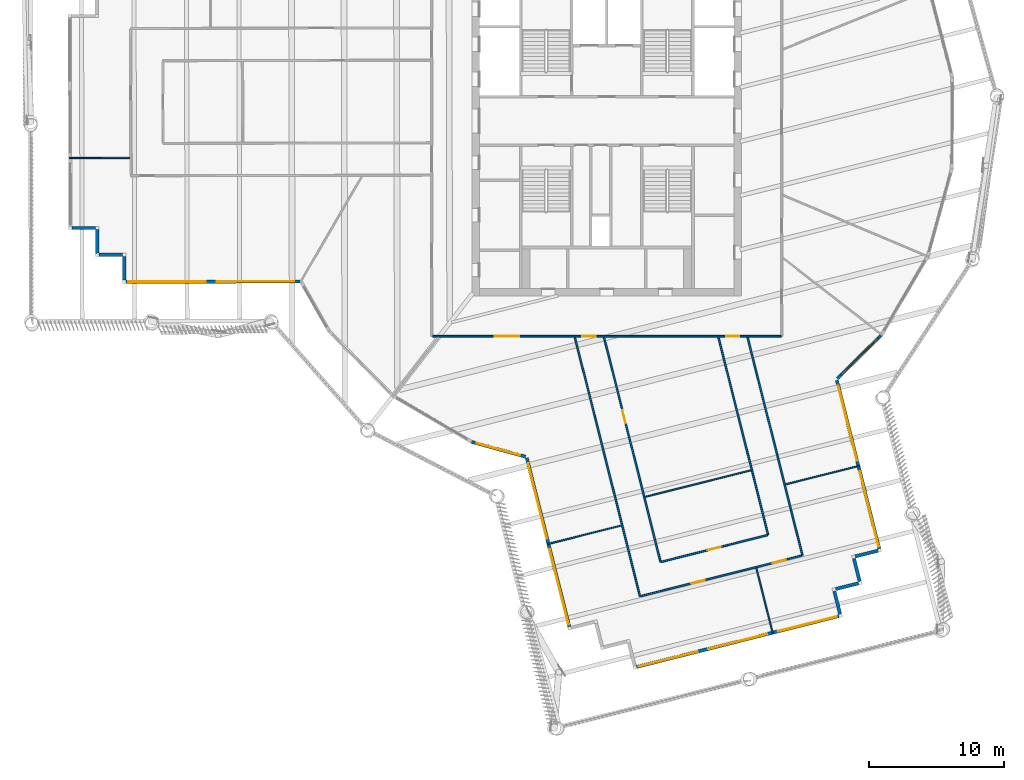
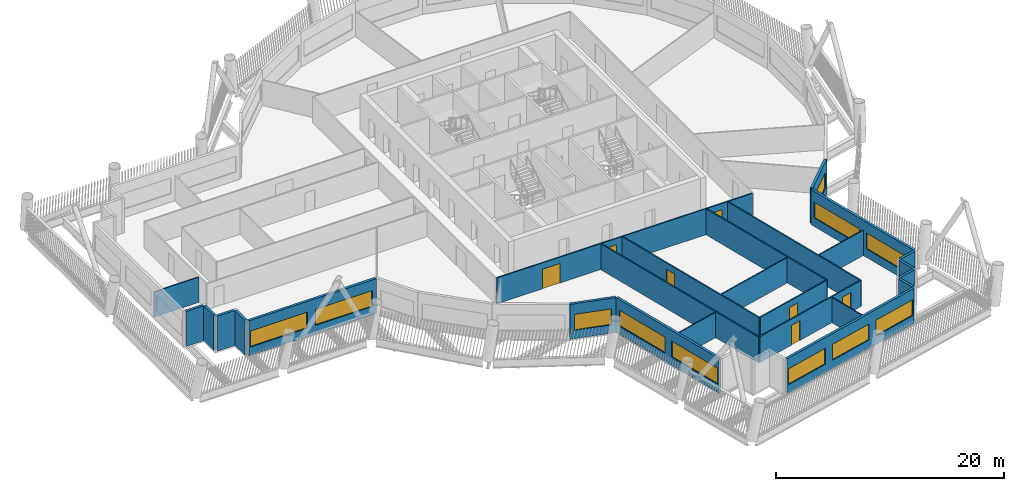
# One storey, part 3 of 22: 26 walls, 11 windows, 7 doors, 18 openings.
"""IFC4 building model written with IfcOpenShell, lengths in metres."""

from ifc_helpers import new_model, si_unit, direction, frame, frame_2d, origin, place, context, subcontext, project, spatial, rectangle, extrude, material, layer, layer_set, type_object, element, fill, save


model = new_model("IFC4")

# Units and contexts
model_context = context("Model", 3, precision=1e-05, world=origin(), true_north=direction((0.0, 1.0)))
body_context = subcontext(model_context, "Body", "Model", "MODEL_VIEW")
ifc_project = project(units=[si_unit("LENGTHUNIT", "METRE"), si_unit("AREAUNIT", "SQUARE_METRE"), si_unit("VOLUMEUNIT", "CUBIC_METRE"), si_unit("PLANEANGLEUNIT", "RADIAN"), si_unit("MASSUNIT", "GRAM", prefix="KILO")], contexts=[model_context])

# Site, building, storey
site_placement = place(None, origin())
site = spatial("IfcSite", under=ifc_project, at=site_placement, CompositionType="ELEMENT")
building_placement = place(site_placement, origin())
building = spatial("IfcBuilding", under=site, at=building_placement, Name="Tarsis Ring Headquarters", CompositionType="ELEMENT")
storey_placement = place(building_placement, frame((0.0, 0.0, 286.39990234375)))
storey = spatial("IfcBuildingStorey", under=building, at=storey_placement, Name="L67", CompositionType="ELEMENT", Elevation=286.39990234375)

# Walls
ifc_material_1 = material(Name="Gypsum board on steel studs", Category="steel")
ifc_layer_1 = layer(ifc_material_1, 0.10009765625)
ifc_layer_set_1 = layer_set([ifc_layer_1], Name="FL partition 100 unrated")
wall_type_1 = type_object("IfcWallType", Name="FL partition 100 unrated", PredefinedType="PARTITIONING", material=ifc_layer_set_1)
wall_1_placement = place(storey_placement, frame((2.849365234375, -27.9287109375, 0.0), z_axis=(0.0, 0.0, 1.0), x_axis=(0.969785080451, 0.243960852872, 0.0)))
element("IfcWall", 1, at=wall_1_placement, inside=storey, type_object=wall_type_1, Name="Partition PW3", PredefinedType="PARTITIONING", context=body_context, shape_type="SweptSolid", body=[
    extrude(rectangle(XDim=8.099853515625, YDim=0.10009765625, at=frame_2d((4.0498046875, 0.0))), origin(), (0.0, 0.0, 1.0), 2.7001953125),
])
wall_2_placement = place(storey_placement, frame((13.277099609375, -26.99658203125, 0.0), z_axis=(0.0, 0.0, 1.0), x_axis=(0.969793890056, 0.243925830551, 0.0)))
element("IfcWall", 2, at=wall_2_placement, inside=storey, type_object=wall_type_1, Name="Partition PW3", PredefinedType="PARTITIONING", context=body_context, shape_type="SweptSolid", body=[
    extrude(rectangle(XDim=5.659912109375, YDim=0.10009765625, at=frame_2d((2.830078125, 0.0))), origin(), (0.0, 0.0, 1.0), 2.7001953125),
])
wall_3_placement = place(storey_placement, frame((-4.414306640625, -31.436767578125, 0.0), z_axis=(0.0, 0.0, 1.0), x_axis=(0.969783685504, 0.243966397954, 0.0)))
element("IfcWall", 3, at=wall_3_placement, inside=storey, type_object=wall_type_1, Name="Partition PW3", PredefinedType="PARTITIONING", context=body_context, shape_type="SweptSolid", body=[
    extrude(rectangle(XDim=5.66015625, YDim=0.10009765625, at=frame_2d((2.830078125, 0.0))), origin(), (0.0, 0.0, 1.0), 2.7001953125),
])
wall_4_placement = place(storey_placement, frame((11.108154296875, -33.213623046875, 0.0), z_axis=(0.0, 0.0, 1.0), x_axis=(0.24395153151, -0.969787425302, 0.0)))
element("IfcWall", 4, at=wall_4_placement, inside=storey, type_object=wall_type_1, Name="Partition PW3", PredefinedType="PARTITIONING", context=body_context, shape_type="SweptSolid", body=[
    extrude(rectangle(XDim=5.02978515625, YDim=0.10009765625, at=frame_2d((2.514892578125, 0.0))), origin(), (0.0, 0.0, 1.0), 2.7001953125),
])
wall_5_placement = place(storey_placement, frame((-39.9443359375, -2.753662109375, 0.0), z_axis=(0.0, 0.0, 1.0), x_axis=(0.999997781307, 0.002106509316, 0.0)))
element("IfcWall", 5, at=wall_5_placement, inside=storey, type_object=wall_type_1, Name="Partition PW3", PredefinedType="PARTITIONING", context=body_context, shape_type="SweptSolid", body=[
    extrude(rectangle(XDim=4.52001953125, YDim=0.10009765625, at=frame_2d((2.260009765625, 0.0))), origin(), (0.0, 0.0, 1.0), 2.7001953125),
])

# Wall, openings, doors
ifc_layer_2 = layer(ifc_material_1, 0.125)
ifc_layer_set_2 = layer_set([ifc_layer_2], Name="FL partition 125 EI 60 H2770")
wall_type_2 = type_object("IfcWallType", Name="FL partition 125 EI 60 H2770", PredefinedType="PARTITIONING", material=ifc_layer_set_2)
wall_6_placement = place(storey_placement, frame((-12.93994140625, -16.0, 0.0), z_axis=(0.0, 0.0, 1.0), x_axis=(1.0, 0.0, 0.0)))
wall_6 = element("IfcWall", 6, at=wall_6_placement, inside=storey, type_object=wall_type_2, Name="Partition PW1", PredefinedType="PARTITIONING", context=body_context, shape_type="SweptSolid", body=[
    extrude(rectangle(XDim=25.8798828125, YDim=0.125, at=frame_2d((12.93994140625, 0.0))), origin(), (0.0, 0.0, 1.0), 2.77001953125),
])
opening_1_placement = place(wall_6_placement, frame((4.622314453125, 0.0, 0.0)))
opening_1 = element("IfcOpeningElement", 7, at=opening_1_placement, cuts=wall_6, Name="Opening D67.12", PredefinedType="OPENING", context=body_context, shape_type="SweptSolid", body=[
    extrude(rectangle(XDim=1.800048828125, YDim=2.10009765625, at=frame_2d((0.89990234375, 1.050048828125))), frame((0.0, 0.072509765625, 0.0), z_axis=(0.0, -1.0, 0.0), x_axis=(1.0, 0.0, 0.0)), (0.0, 0.0, 1.0), 0.14501953125),
])
opening_2_placement = place(wall_6_placement, frame((11.1337890625, 0.0, 0.0)))
opening_2 = element("IfcOpeningElement", 8, at=opening_2_placement, cuts=wall_6, Name="Opening D67.18", PredefinedType="OPENING", context=body_context, shape_type="SweptSolid", body=[
    extrude(rectangle(XDim=1.0, YDim=2.10009765625, at=frame_2d((0.5, 1.050048828125))), frame((0.0, 0.072509765625, 0.0), z_axis=(0.0, -1.0, 0.0), x_axis=(1.0, 0.0, 0.0)), (0.0, 0.0, 1.0), 0.14501953125),
])
opening_3_placement = place(wall_6_placement, frame((21.7958984375, 0.0, 0.0)))
opening_3 = element("IfcOpeningElement", 9, at=opening_3_placement, cuts=wall_6, Name="Opening D67.19", PredefinedType="OPENING", context=body_context, shape_type="SweptSolid", body=[
    extrude(rectangle(XDim=1.0, YDim=2.10009765625, at=frame_2d((0.5, 1.050048828125))), frame((0.0, 0.072509765625, 0.0), z_axis=(0.0, -1.0, 0.0), x_axis=(1.0, 0.0, 0.0)), (0.0, 0.0, 1.0), 0.14501953125),
])
ifc_material_2 = material(Name="Fire-rated timber door leaf in steel frame", Category="steel")
door_type_1 = type_object("IfcDoorType", Name="FL door FD60-1000", OperationType="NOTDEFINED", PredefinedType="DOOR", material=ifc_material_2)
door_1_placement = place(opening_2_placement, origin())
door_1 = element("IfcDoor", 10, at=door_1_placement, inside=storey, type_object=door_type_1, Name="Door D67.18", OperationType="SINGLE_SWING_LEFT", OverallHeight=2.10009765625, OverallWidth=1.0, PredefinedType="DOOR", context=body_context, shape_type="SweptSolid", body=[
    extrude(rectangle(XDim=1.0, YDim=2.10009765625, at=frame_2d((0.5, 1.050048828125))), frame((0.0, 0.02490234375, 0.0), z_axis=(0.0, -1.0, 0.0), x_axis=(1.0, 0.0, 0.0)), (0.0, 0.0, 1.0), 0.050048828125),
])
fill(opening_2, door_1)
door_2_placement = place(opening_3_placement, origin())
door_2 = element("IfcDoor", 11, at=door_2_placement, inside=storey, type_object=door_type_1, Name="Door D67.19", OperationType="SINGLE_SWING_RIGHT", OverallHeight=2.10009765625, OverallWidth=1.0, PredefinedType="DOOR", context=body_context, shape_type="SweptSolid", body=[
    extrude(rectangle(XDim=1.0, YDim=2.10009765625, at=frame_2d((0.5, 1.050048828125))), frame((0.0, 0.02490234375, 0.0), z_axis=(0.0, -1.0, 0.0), x_axis=(1.0, 0.0, 0.0)), (0.0, 0.0, 1.0), 0.050048828125),
])
fill(opening_3, door_2)
door_type_2 = type_object("IfcDoorType", Name="FL door FD60-1800", OperationType="DOUBLE_DOOR_SINGLE_SWING", PredefinedType="DOOR", material=ifc_material_2)
door_3_placement = place(opening_1_placement, origin())
door_3 = element("IfcDoor", 12, at=door_3_placement, inside=storey, type_object=door_type_2, Name="Door D67.12", OperationType="DOUBLE_DOOR_SINGLE_SWING", OverallHeight=2.10009765625, OverallWidth=1.800048828125, PredefinedType="DOOR", context=body_context, shape_type="SweptSolid", body=[
    extrude(rectangle(XDim=1.800048828125, YDim=2.10009765625, at=frame_2d((0.89990234375, 1.050048828125))), frame((0.0, 0.02490234375, 0.0), z_axis=(0.0, -1.0, 0.0), x_axis=(1.0, 0.0, 0.0)), (0.0, 0.0, 1.0), 0.050048828125),
])
fill(opening_1, door_3)

# Wall
wall_7_placement = place(storey_placement, frame((-2.369384765625, -16.07763671875, 0.0), z_axis=(0.0, 0.0, 1.0), x_axis=(0.243954391178, -0.969786705944, 0.0)))
element("IfcWall", 13, at=wall_7_placement, inside=storey, type_object=wall_type_2, Name="Partition PW1", PredefinedType="PARTITIONING", context=body_context, shape_type="SweptSolid", body=[
    extrude(rectangle(XDim=19.836181640625, YDim=0.125, at=frame_2d((9.91796875, 0.0))), origin(), (0.0, 0.0, 1.0), 2.77001953125),
])

# Wall, opening, door
wall_8_placement = place(storey_placement, frame((-0.2041015625, -16.07763671875, 0.0), z_axis=(0.0, 0.0, 1.0), x_axis=(0.243957472571, -0.9697859308, 0.0)))
wall_8 = element("IfcWall", 14, at=wall_8_placement, inside=storey, type_object=wall_type_2, Name="Partition PW1", PredefinedType="PARTITIONING", context=body_context, shape_type="SweptSolid", body=[
    extrude(rectangle(XDim=17.2080078125, YDim=0.125, at=frame_2d((8.60400390625, 0.0))), origin(), (0.0, 0.0, 1.0), 2.77001953125),
])
opening_4_placement = place(wall_8_placement, frame((5.5791015625, 0.0, 0.0)))
opening_4 = element("IfcOpeningElement", 15, at=opening_4_placement, cuts=wall_8, Name="Opening D67.16", PredefinedType="OPENING", context=body_context, shape_type="SweptSolid", body=[
    extrude(rectangle(XDim=1.0, YDim=2.10009765625, at=frame_2d((0.5, 1.050048828125))), frame((0.0, 0.072509765625, 0.0), z_axis=(0.0, -1.0, 0.0), x_axis=(1.0, 0.0, 0.0)), (0.0, 0.0, 1.0), 0.14501953125),
])
door_4_placement = place(opening_4_placement, origin())
door_4 = element("IfcDoor", 16, at=door_4_placement, inside=storey, type_object=door_type_1, Name="Door D67.16", OperationType="SINGLE_SWING_LEFT", OverallHeight=2.10009765625, OverallWidth=1.0, PredefinedType="DOOR", context=body_context, shape_type="SweptSolid", body=[
    extrude(rectangle(XDim=1.0, YDim=2.10009765625, at=frame_2d((0.5, 1.050048828125))), frame((0.0, 0.02490234375, 0.0), z_axis=(0.0, -1.0, 0.0), x_axis=(1.0, 0.0, 0.0)), (0.0, 0.0, 1.0), 0.050048828125),
])
fill(opening_4, door_4)

# Walls
wall_9_placement = place(storey_placement, frame((10.458251953125, -16.07763671875, 0.0), z_axis=(0.0, 0.0, 1.0), x_axis=(0.243951982748, -0.969787311792, 0.0)))
element("IfcWall", 17, at=wall_9_placement, inside=storey, type_object=wall_type_2, Name="Partition PW1", PredefinedType="PARTITIONING", context=body_context, shape_type="SweptSolid", body=[
    extrude(rectangle(XDim=16.706787109375, YDim=0.125, at=frame_2d((8.353515625, 0.0))), origin(), (0.0, 0.0, 1.0), 2.77001953125),
])
wall_10_placement = place(storey_placement, frame((8.292724609375, -16.07763671875, 0.0), z_axis=(0.0, 0.0, 1.0), x_axis=(0.243962465428, -0.969784674792, 0.0)))
element("IfcWall", 18, at=wall_10_placement, inside=storey, type_object=wall_type_2, Name="Partition PW1", PredefinedType="PARTITIONING", context=body_context, shape_type="SweptSolid", body=[
    extrude(rectangle(XDim=15.135009765625, YDim=0.125, at=frame_2d((7.5673828125, 0.0))), origin(), (0.0, 0.0, 1.0), 2.77001953125),
])

# Wall, openings, doors
wall_11_placement = place(storey_placement, frame((2.52783203125, -35.2998046875, 0.0), z_axis=(0.0, 0.0, 1.0), x_axis=(0.969784752153, 0.243962157909, 0.0)))
wall_11 = element("IfcWall", 19, at=wall_11_placement, inside=storey, type_object=wall_type_2, Name="Partition PW1", PredefinedType="PARTITIONING", context=body_context, shape_type="SweptSolid", body=[
    extrude(rectangle(XDim=12.320068359375, YDim=0.125, at=frame_2d((6.16015625, 0.0))), origin(), (0.0, 0.0, 1.0), 2.77001953125),
])
opening_5_placement = place(wall_11_placement, frame((10.103271484375, 0.0, 0.0)))
opening_5 = element("IfcOpeningElement", 20, at=opening_5_placement, cuts=wall_11, Name="Opening D67.10", PredefinedType="OPENING", context=body_context, shape_type="SweptSolid", body=[
    extrude(rectangle(XDim=1.0, YDim=2.10009765625, at=frame_2d((0.5, 1.050048828125))), frame((0.0, 0.072509765625, 0.0), z_axis=(0.0, -1.0, 0.0), x_axis=(1.0, 0.0, 0.0)), (0.0, 0.0, 1.0), 0.14501953125),
])
opening_6_placement = place(wall_11_placement, frame((3.88330078125, 0.0, 0.0)))
opening_6 = element("IfcOpeningElement", 21, at=opening_6_placement, cuts=wall_11, Name="Opening D67.11", PredefinedType="OPENING", context=body_context, shape_type="SweptSolid", body=[
    extrude(rectangle(XDim=1.0, YDim=2.10009765625, at=frame_2d((0.5, 1.050048828125))), frame((0.0, 0.072509765625, 0.0), z_axis=(0.0, -1.0, 0.0), x_axis=(1.0, 0.0, 0.0)), (0.0, 0.0, 1.0), 0.14501953125),
])
door_5_placement = place(opening_5_placement, origin())
door_5 = element("IfcDoor", 22, at=door_5_placement, inside=storey, type_object=door_type_1, Name="Door D67.10", OperationType="SINGLE_SWING_LEFT", OverallHeight=2.10009765625, OverallWidth=1.0, PredefinedType="DOOR", context=body_context, shape_type="SweptSolid", body=[
    extrude(rectangle(XDim=1.0, YDim=2.10009765625, at=frame_2d((0.5, 1.050048828125))), frame((0.0, 0.02490234375, 0.0), z_axis=(0.0, -1.0, 0.0), x_axis=(1.0, 0.0, 0.0)), (0.0, 0.0, 1.0), 0.050048828125),
])
fill(opening_5, door_5)
door_6_placement = place(opening_6_placement, origin())
door_6 = element("IfcDoor", 23, at=door_6_placement, inside=storey, type_object=door_type_1, Name="Door D67.11", OperationType="SINGLE_SWING_RIGHT", OverallHeight=2.10009765625, OverallWidth=1.0, PredefinedType="DOOR", context=body_context, shape_type="SweptSolid", body=[
    extrude(rectangle(XDim=1.0, YDim=2.10009765625, at=frame_2d((0.5, 1.050048828125))), frame((0.0, 0.02490234375, 0.0), z_axis=(0.0, -1.0, 0.0), x_axis=(1.0, 0.0, 0.0)), (0.0, 0.0, 1.0), 0.050048828125),
])
fill(opening_6, door_6)

# Wall, opening, door
wall_12_placement = place(storey_placement, frame((4.052001953125, -32.7509765625, 0.0), z_axis=(0.0, 0.0, 1.0), x_axis=(0.9697859692, 0.243957319922, 0.0)))
wall_12 = element("IfcWall", 24, at=wall_12_placement, inside=storey, type_object=wall_type_2, Name="Partition PW1", PredefinedType="PARTITIONING", context=body_context, shape_type="SweptSolid", body=[
    extrude(rectangle(XDim=8.1201171875, YDim=0.125, at=frame_2d((4.06005859375, 0.0))), origin(), (0.0, 0.0, 1.0), 2.77001953125),
])
opening_7_placement = place(wall_12_placement, frame((3.56005859375, 0.0, 0.0)))
opening_7 = element("IfcOpeningElement", 25, at=opening_7_placement, cuts=wall_12, Name="Opening D67.17", PredefinedType="OPENING", context=body_context, shape_type="SweptSolid", body=[
    extrude(rectangle(XDim=1.0, YDim=2.10009765625, at=frame_2d((0.5, 1.050048828125))), frame((0.0, 0.072509765625, 0.0), z_axis=(0.0, -1.0, 0.0), x_axis=(1.0, 0.0, 0.0)), (0.0, 0.0, 1.0), 0.14501953125),
])
door_7_placement = place(opening_7_placement, origin())
door_7 = element("IfcDoor", 26, at=door_7_placement, inside=storey, type_object=door_type_1, Name="Door D67.17", OperationType="SINGLE_SWING_RIGHT", OverallHeight=2.10009765625, OverallWidth=1.0, PredefinedType="DOOR", context=body_context, shape_type="SweptSolid", body=[
    extrude(rectangle(XDim=1.0, YDim=2.10009765625, at=frame_2d((0.5, 1.050048828125))), frame((0.0, 0.02490234375, 0.0), z_axis=(0.0, -1.0, 0.0), x_axis=(1.0, 0.0, 0.0)), (0.0, 0.0, 1.0), 0.050048828125),
])
fill(opening_7, door_7)

# Wall, openings, windows
ifc_material_3 = material(Name="Terracotta clad insulated panel wall", Category="masonry")
ifc_layer_3 = layer(ifc_material_3, 0.25)
ifc_layer_set_3 = layer_set([ifc_layer_3], Name="Facade wall terracotta panel 250")
wall_type_3 = type_object("IfcWallType", Name="Facade wall terracotta panel 250", PredefinedType="STANDARD", material=ifc_layer_set_3)
wall_13_placement = place(storey_placement, frame((-35.72509765625, -11.949951171875, 0.0), z_axis=(0.0, 0.0, 1.0), x_axis=(0.99999780099, 0.002097144399, 0.0)))
wall_13 = element("IfcWall", 27, at=wall_13_placement, inside=storey, type_object=wall_type_3, Name="External wall L67-01", PredefinedType="STANDARD", context=body_context, shape_type="SweptSolid", body=[
    extrude(rectangle(XDim=12.922119140625, YDim=0.25, at=frame_2d((6.4609375, 0.0))), origin(), (0.0, 0.0, 1.0), 3.739990234375),
])
opening_8_placement = place(wall_13_placement, frame((0.16796875, 0.0, 0.89990234375)))
opening_8 = element("IfcOpeningElement", 28, at=opening_8_placement, cuts=wall_13, Name="Opening WN06", PredefinedType="OPENING", context=body_context, shape_type="SweptSolid", body=[
    extrude(rectangle(XDim=5.75, YDim=1.699951171875, at=frame_2d((2.875, 0.85009765625))), frame((0.0, 0.135009765625, 0.0), z_axis=(0.0, -1.0, 0.0), x_axis=(1.0, 0.0, 0.0)), (0.0, 0.0, 1.0), 0.27001953125),
])
opening_9_placement = place(wall_13_placement, frame((6.75390625, 0.0, 0.89990234375)))
opening_9 = element("IfcOpeningElement", 29, at=opening_9_placement, cuts=wall_13, Name="Opening WN06", PredefinedType="OPENING", context=body_context, shape_type="SweptSolid", body=[
    extrude(rectangle(XDim=5.75, YDim=1.699951171875, at=frame_2d((2.875, 0.85009765625))), frame((0.0, 0.135009765625, 0.0), z_axis=(0.0, -1.0, 0.0), x_axis=(1.0, 0.0, 0.0)), (0.0, 0.0, 1.0), 0.27001953125),
])
ifc_material_4 = material(Name="Aluminium framed double glazing", Category="aluminium")
window_type_1 = type_object("IfcWindowType", Name="Facade window 5750 x 1700", PartitioningType="SINGLE_PANEL", PredefinedType="WINDOW", material=ifc_material_4)
window_1_placement = place(opening_8_placement, origin())
window_1 = element("IfcWindow", 30, at=window_1_placement, inside=storey, type_object=window_type_1, Name="Window L67-01.1", OverallHeight=1.699951171875, OverallWidth=5.75, PartitioningType="SINGLE_PANEL", PredefinedType="WINDOW", context=body_context, shape_type="SweptSolid", body=[
    extrude(rectangle(XDim=5.75, YDim=1.699951171875, at=frame_2d((2.875, 0.85009765625))), frame((0.0, 0.030029296875, 0.0), z_axis=(0.0, -1.0, 0.0), x_axis=(1.0, 0.0, 0.0)), (0.0, 0.0, 1.0), 0.06005859375),
])
fill(opening_8, window_1)
window_2_placement = place(opening_9_placement, origin())
window_2 = element("IfcWindow", 31, at=window_2_placement, inside=storey, type_object=window_type_1, Name="Window L67-01.2", OverallHeight=1.699951171875, OverallWidth=5.75, PartitioningType="SINGLE_PANEL", PredefinedType="WINDOW", context=body_context, shape_type="SweptSolid", body=[
    extrude(rectangle(XDim=5.75, YDim=1.699951171875, at=frame_2d((2.875, 0.85009765625))), frame((0.0, 0.030029296875, 0.0), z_axis=(0.0, -1.0, 0.0), x_axis=(1.0, 0.0, 0.0)), (0.0, 0.0, 1.0), 0.06005859375),
])
fill(opening_9, window_2)

# Wall, opening, window
wall_14_placement = place(storey_placement, frame((-10.0439453125, -23.842529296875, 0.0), z_axis=(0.0, 0.0, 1.0), x_axis=(0.964178738928, -0.265253387158, 0.0)))
wall_14 = element("IfcWall", 32, at=wall_14_placement, inside=storey, type_object=wall_type_3, Name="External wall L67-05", PredefinedType="STANDARD", context=body_context, shape_type="SweptSolid", body=[
    extrude(rectangle(XDim=4.157470703125, YDim=0.25, at=frame_2d((2.07861328125, 0.0))), origin(), (0.0, 0.0, 1.0), 3.739990234375),
])
opening_10_placement = place(wall_14_placement, frame((0.38720703125, 0.0, 0.89990234375)))
opening_10 = element("IfcOpeningElement", 33, at=opening_10_placement, cuts=wall_14, Name="Opening WN01", PredefinedType="OPENING", context=body_context, shape_type="SweptSolid", body=[
    extrude(rectangle(XDim=3.35009765625, YDim=1.699951171875, at=frame_2d((1.675048828125, 0.85009765625))), frame((0.0, 0.135009765625, 0.0), z_axis=(0.0, -1.0, 0.0), x_axis=(1.0, 0.0, 0.0)), (0.0, 0.0, 1.0), 0.27001953125),
])
window_type_2 = type_object("IfcWindowType", Name="Facade window 3350 x 1700", PartitioningType="SINGLE_PANEL", PredefinedType="WINDOW", material=ifc_material_4)
window_3_placement = place(opening_10_placement, origin())
window_3 = element("IfcWindow", 34, at=window_3_placement, inside=storey, type_object=window_type_2, Name="Window L67-05.1", OverallHeight=1.699951171875, OverallWidth=3.35009765625, PartitioningType="SINGLE_PANEL", PredefinedType="WINDOW", context=body_context, shape_type="SweptSolid", body=[
    extrude(rectangle(XDim=3.35009765625, YDim=1.699951171875, at=frame_2d((1.675048828125, 0.85009765625))), frame((0.0, 0.030029296875, 0.0), z_axis=(0.0, -1.0, 0.0), x_axis=(1.0, 0.0, 0.0)), (0.0, 0.0, 1.0), 0.06005859375),
])
fill(opening_10, window_3)

# Wall, openings, windows
wall_15_placement = place(storey_placement, frame((-5.947265625, -25.03515625, 0.0), z_axis=(0.0, 0.0, 1.0), x_axis=(0.243949023597, -0.969788056168, 0.0)))
wall_15 = element("IfcWall", 35, at=wall_15_placement, inside=storey, type_object=wall_type_3, Name="External wall L67-06", PredefinedType="STANDARD", context=body_context, shape_type="SweptSolid", body=[
    extrude(rectangle(XDim=12.922119140625, YDim=0.25, at=frame_2d((6.4609375, 0.0))), origin(), (0.0, 0.0, 1.0), 3.739990234375),
])
opening_11_placement = place(wall_15_placement, frame((0.41796875, 0.0, 0.89990234375)))
opening_11 = element("IfcOpeningElement", 36, at=opening_11_placement, cuts=wall_15, Name="Opening WN06", PredefinedType="OPENING", context=body_context, shape_type="SweptSolid", body=[
    extrude(rectangle(XDim=5.75, YDim=1.699951171875, at=frame_2d((2.875, 0.85009765625))), frame((0.0, 0.135009765625, 0.0), z_axis=(0.0, -1.0, 0.0), x_axis=(1.0, 0.0, 0.0)), (0.0, 0.0, 1.0), 0.27001953125),
])
opening_12_placement = place(wall_15_placement, frame((7.00390625, 0.0, 0.89990234375)))
opening_12 = element("IfcOpeningElement", 37, at=opening_12_placement, cuts=wall_15, Name="Opening WN06", PredefinedType="OPENING", context=body_context, shape_type="SweptSolid", body=[
    extrude(rectangle(XDim=5.75, YDim=1.699951171875, at=frame_2d((2.875, 0.85009765625))), frame((0.0, 0.135009765625, 0.0), z_axis=(0.0, -1.0, 0.0), x_axis=(1.0, 0.0, 0.0)), (0.0, 0.0, 1.0), 0.27001953125),
])
window_4_placement = place(opening_11_placement, origin())
window_4 = element("IfcWindow", 38, at=window_4_placement, inside=storey, type_object=window_type_1, Name="Window L67-06.1", OverallHeight=1.699951171875, OverallWidth=5.75, PartitioningType="SINGLE_PANEL", PredefinedType="WINDOW", context=body_context, shape_type="SweptSolid", body=[
    extrude(rectangle(XDim=5.75, YDim=1.699951171875, at=frame_2d((2.875, 0.85009765625))), frame((0.0, 0.030029296875, 0.0), z_axis=(0.0, -1.0, 0.0), x_axis=(1.0, 0.0, 0.0)), (0.0, 0.0, 1.0), 0.06005859375),
])
fill(opening_11, window_4)
window_5_placement = place(opening_12_placement, origin())
window_5 = element("IfcWindow", 39, at=window_5_placement, inside=storey, type_object=window_type_1, Name="Window L67-06.2", OverallHeight=1.699951171875, OverallWidth=5.75, PartitioningType="SINGLE_PANEL", PredefinedType="WINDOW", context=body_context, shape_type="SweptSolid", body=[
    extrude(rectangle(XDim=5.75, YDim=1.699951171875, at=frame_2d((2.875, 0.85009765625))), frame((0.0, 0.030029296875, 0.0), z_axis=(0.0, -1.0, 0.0), x_axis=(1.0, 0.0, 0.0)), (0.0, 0.0, 1.0), 0.06005859375),
])
fill(opening_12, window_5)

wall_16_placement = place(storey_placement, frame((2.2119140625, -40.560791015625, 0.0), z_axis=(0.0, 0.0, 1.0), x_axis=(0.96978659608, 0.243954827918, 0.0)))
wall_16 = element("IfcWall", 40, at=wall_16_placement, inside=storey, type_object=wall_type_3, Name="External wall L67-11", PredefinedType="STANDARD", context=body_context, shape_type="SweptSolid", body=[
    extrude(rectangle(XDim=15.499755859375, YDim=0.25, at=frame_2d((7.75, 0.0))), origin(), (0.0, 0.0, 1.0), 3.739990234375),
])
opening_13_placement = place(wall_16_placement, frame((0.166748046875, 0.0, 0.89990234375)))
opening_13 = element("IfcOpeningElement", 41, at=opening_13_placement, cuts=wall_16, Name="Opening WN04", PredefinedType="OPENING", context=body_context, shape_type="SweptSolid", body=[
    extrude(rectangle(XDim=4.5, YDim=1.699951171875, at=frame_2d((2.25, 0.85009765625))), frame((0.0, 0.135009765625, 0.0), z_axis=(0.0, -1.0, 0.0), x_axis=(1.0, 0.0, 0.0)), (0.0, 0.0, 1.0), 0.27001953125),
])
opening_14_placement = place(wall_16_placement, frame((5.5, 0.0, 0.89990234375)))
opening_14 = element("IfcOpeningElement", 42, at=opening_14_placement, cuts=wall_16, Name="Opening WN04", PredefinedType="OPENING", context=body_context, shape_type="SweptSolid", body=[
    extrude(rectangle(XDim=4.5, YDim=1.699951171875, at=frame_2d((2.25, 0.85009765625))), frame((0.0, 0.135009765625, 0.0), z_axis=(0.0, -1.0, 0.0), x_axis=(1.0, 0.0, 0.0)), (0.0, 0.0, 1.0), 0.27001953125),
])
opening_15_placement = place(wall_16_placement, frame((10.833251953125, 0.0, 0.89990234375)))
opening_15 = element("IfcOpeningElement", 43, at=opening_15_placement, cuts=wall_16, Name="Opening WN04", PredefinedType="OPENING", context=body_context, shape_type="SweptSolid", body=[
    extrude(rectangle(XDim=4.5, YDim=1.699951171875, at=frame_2d((2.25, 0.85009765625))), frame((0.0, 0.135009765625, 0.0), z_axis=(0.0, -1.0, 0.0), x_axis=(1.0, 0.0, 0.0)), (0.0, 0.0, 1.0), 0.27001953125),
])
window_type_3 = type_object("IfcWindowType", Name="Facade window 4500 x 1700", PartitioningType="SINGLE_PANEL", PredefinedType="WINDOW", material=ifc_material_4)
window_6_placement = place(opening_13_placement, origin())
window_6 = element("IfcWindow", 44, at=window_6_placement, inside=storey, type_object=window_type_3, Name="Window L67-11.1", OverallHeight=1.699951171875, OverallWidth=4.5, PartitioningType="SINGLE_PANEL", PredefinedType="WINDOW", context=body_context, shape_type="SweptSolid", body=[
    extrude(rectangle(XDim=4.5, YDim=1.699951171875, at=frame_2d((2.25, 0.85009765625))), frame((0.0, 0.030029296875, 0.0), z_axis=(0.0, -1.0, 0.0), x_axis=(1.0, 0.0, 0.0)), (0.0, 0.0, 1.0), 0.06005859375),
])
fill(opening_13, window_6)
window_7_placement = place(opening_14_placement, origin())
window_7 = element("IfcWindow", 45, at=window_7_placement, inside=storey, type_object=window_type_3, Name="Window L67-11.2", OverallHeight=1.699951171875, OverallWidth=4.5, PartitioningType="SINGLE_PANEL", PredefinedType="WINDOW", context=body_context, shape_type="SweptSolid", body=[
    extrude(rectangle(XDim=4.5, YDim=1.699951171875, at=frame_2d((2.25, 0.85009765625))), frame((0.0, 0.030029296875, 0.0), z_axis=(0.0, -1.0, 0.0), x_axis=(1.0, 0.0, 0.0)), (0.0, 0.0, 1.0), 0.06005859375),
])
fill(opening_14, window_7)
window_8_placement = place(opening_15_placement, origin())
window_8 = element("IfcWindow", 46, at=window_8_placement, inside=storey, type_object=window_type_3, Name="Window L67-11.3", OverallHeight=1.699951171875, OverallWidth=4.5, PartitioningType="SINGLE_PANEL", PredefinedType="WINDOW", context=body_context, shape_type="SweptSolid", body=[
    extrude(rectangle(XDim=4.5, YDim=1.699951171875, at=frame_2d((2.25, 0.85009765625))), frame((0.0, 0.030029296875, 0.0), z_axis=(0.0, -1.0, 0.0), x_axis=(1.0, 0.0, 0.0)), (0.0, 0.0, 1.0), 0.06005859375),
])
fill(opening_15, window_8)

# Walls
wall_17_placement = place(storey_placement, frame((17.334228515625, -36.6279296875, 0.0), z_axis=(0.0, 0.0, 1.0), x_axis=(-0.24397955641, 0.969780375164, 0.0)))
element("IfcWall", 47, at=wall_17_placement, inside=storey, type_object=wall_type_3, Name="External wall L67-12", PredefinedType="STANDARD", context=body_context, shape_type="SweptSolid", body=[
    extrude(rectangle(XDim=1.750244140625, YDim=0.25, at=frame_2d((0.875, 0.0))), origin(), (0.0, 0.0, 1.0), 3.739990234375),
])
wall_18_placement = place(storey_placement, frame((16.998046875, -34.779052734375, 0.0), z_axis=(0.0, 0.0, 1.0), x_axis=(0.969772069801, 0.244012566549, 0.0)))
element("IfcWall", 48, at=wall_18_placement, inside=storey, type_object=wall_type_3, Name="External wall L67-13", PredefinedType="STANDARD", context=body_context, shape_type="SweptSolid", body=[
    extrude(rectangle(XDim=1.75, YDim=0.25, at=frame_2d((0.875, 0.0))), origin(), (0.0, 0.0, 1.0), 3.739990234375),
])
wall_19_placement = place(storey_placement, frame((18.785888671875, -34.200439453125, 0.0), z_axis=(0.0, 0.0, 1.0), x_axis=(-0.24397955641, 0.969780375164, 0.0)))
element("IfcWall", 49, at=wall_19_placement, inside=storey, type_object=wall_type_3, Name="External wall L67-14", PredefinedType="STANDARD", context=body_context, shape_type="SweptSolid", body=[
    extrude(rectangle(XDim=1.750244140625, YDim=0.25, at=frame_2d((0.875, 0.0))), origin(), (0.0, 0.0, 1.0), 3.739990234375),
])
wall_20_placement = place(storey_placement, frame((18.44970703125, -32.3515625, 0.0), z_axis=(0.0, 0.0, 1.0), x_axis=(0.969772069801, 0.244012566549, 0.0)))
element("IfcWall", 50, at=wall_20_placement, inside=storey, type_object=wall_type_3, Name="External wall L67-15", PredefinedType="STANDARD", context=body_context, shape_type="SweptSolid", body=[
    extrude(rectangle(XDim=1.75, YDim=0.25, at=frame_2d((0.875, 0.0))), origin(), (0.0, 0.0, 1.0), 3.739990234375),
])

# Wall, openings, windows
wall_21_placement = place(storey_placement, frame((20.237548828125, -31.77294921875, 0.0), z_axis=(0.0, 0.0, 1.0), x_axis=(-0.243946862084, 0.969788599892, 0.0)))
wall_21 = element("IfcWall", 51, at=wall_21_placement, inside=storey, type_object=wall_type_3, Name="External wall L67-16", PredefinedType="STANDARD", context=body_context, shape_type="SweptSolid", body=[
    extrude(rectangle(XDim=12.901123046875, YDim=0.25, at=frame_2d((6.45068359375, 0.0))), origin(), (0.0, 0.0, 1.0), 3.739990234375),
])
opening_16_placement = place(wall_21_placement, frame((0.162841796875, 0.0, 0.89990234375)))
opening_16 = element("IfcOpeningElement", 52, at=opening_16_placement, cuts=wall_21, Name="Opening WN06", PredefinedType="OPENING", context=body_context, shape_type="SweptSolid", body=[
    extrude(rectangle(XDim=5.75, YDim=1.699951171875, at=frame_2d((2.875, 0.85009765625))), frame((0.0, 0.135009765625, 0.0), z_axis=(0.0, -1.0, 0.0), x_axis=(1.0, 0.0, 0.0)), (0.0, 0.0, 1.0), 0.27001953125),
])
opening_17_placement = place(wall_21_placement, frame((6.738525390625, 0.0, 0.89990234375)))
opening_17 = element("IfcOpeningElement", 53, at=opening_17_placement, cuts=wall_21, Name="Opening WN06", PredefinedType="OPENING", context=body_context, shape_type="SweptSolid", body=[
    extrude(rectangle(XDim=5.75, YDim=1.699951171875, at=frame_2d((2.875, 0.85009765625))), frame((0.0, 0.135009765625, 0.0), z_axis=(0.0, -1.0, 0.0), x_axis=(1.0, 0.0, 0.0)), (0.0, 0.0, 1.0), 0.27001953125),
])
window_9_placement = place(opening_16_placement, origin())
window_9 = element("IfcWindow", 54, at=window_9_placement, inside=storey, type_object=window_type_1, Name="Window L67-16.1", OverallHeight=1.699951171875, OverallWidth=5.75, PartitioningType="SINGLE_PANEL", PredefinedType="WINDOW", context=body_context, shape_type="SweptSolid", body=[
    extrude(rectangle(XDim=5.75, YDim=1.699951171875, at=frame_2d((2.875, 0.85009765625))), frame((0.0, 0.030029296875, 0.0), z_axis=(0.0, -1.0, 0.0), x_axis=(1.0, 0.0, 0.0)), (0.0, 0.0, 1.0), 0.06005859375),
])
fill(opening_16, window_9)
window_10_placement = place(opening_17_placement, origin())
window_10 = element("IfcWindow", 55, at=window_10_placement, inside=storey, type_object=window_type_1, Name="Window L67-16.2", OverallHeight=1.699951171875, OverallWidth=5.75, PartitioningType="SINGLE_PANEL", PredefinedType="WINDOW", context=body_context, shape_type="SweptSolid", body=[
    extrude(rectangle(XDim=5.75, YDim=1.699951171875, at=frame_2d((2.875, 0.85009765625))), frame((0.0, 0.030029296875, 0.0), z_axis=(0.0, -1.0, 0.0), x_axis=(1.0, 0.0, 0.0)), (0.0, 0.0, 1.0), 0.06005859375),
])
fill(opening_17, window_10)

# Wall, opening, window
wall_22_placement = place(storey_placement, frame((17.123779296875, -19.141845703125, 0.0), z_axis=(0.0, 0.0, 1.0), x_axis=(0.711796606106, 0.702385643031, 0.0)))
wall_22 = element("IfcWall", 56, at=wall_22_placement, inside=storey, type_object=wall_type_3, Name="External wall L67-17", PredefinedType="STANDARD", context=body_context, shape_type="SweptSolid", body=[
    extrude(rectangle(XDim=4.61767578125, YDim=0.25, at=frame_2d((2.308837890625, 0.0))), origin(), (0.0, 0.0, 1.0), 3.739990234375),
])
opening_18_placement = place(wall_22_placement, frame((0.400390625, 0.0, 0.89990234375)))
opening_18 = element("IfcOpeningElement", 57, at=opening_18_placement, cuts=wall_22, Name="Opening WN02", PredefinedType="OPENING", context=body_context, shape_type="SweptSolid", body=[
    extrude(rectangle(XDim=3.85009765625, YDim=1.699951171875, at=frame_2d((1.925048828125, 0.85009765625))), frame((0.0, 0.135009765625, 0.0), z_axis=(0.0, -1.0, 0.0), x_axis=(1.0, 0.0, 0.0)), (0.0, 0.0, 1.0), 0.27001953125),
])
window_type_4 = type_object("IfcWindowType", Name="Facade window 3850 x 1700", PartitioningType="SINGLE_PANEL", PredefinedType="WINDOW", material=ifc_material_4)
window_11_placement = place(opening_18_placement, origin())
window_11 = element("IfcWindow", 58, at=window_11_placement, inside=storey, type_object=window_type_4, Name="Window L67-17.1", OverallHeight=1.699951171875, OverallWidth=3.85009765625, PartitioningType="SINGLE_PANEL", PredefinedType="WINDOW", context=body_context, shape_type="SweptSolid", body=[
    extrude(rectangle(XDim=3.85009765625, YDim=1.699951171875, at=frame_2d((1.925048828125, 0.85009765625))), frame((0.0, 0.030029296875, 0.0), z_axis=(0.0, -1.0, 0.0), x_axis=(1.0, 0.0, 0.0)), (0.0, 0.0, 1.0), 0.06005859375),
])
fill(opening_18, window_11)

# Walls
for number, where, z_axis, x_axis, name in (
    (59, (-39.7333984375, -7.958251953125, 0.0), (0.0, 0.0, 1.0), (0.999997810449, 0.002092629347, 0.0), "External wall L67-37"),
    (60, (-37.858154296875, -8.079345703125, 0.0), (0.0, 0.0, 1.0), (0.002092629347, -0.999997810449, 0.0), "External wall L67-38"),
    (61, (-37.729248046875, -9.9541015625, 0.0), (0.0, 0.0, 1.0), (0.999997810449, 0.002092629347, 0.0), "External wall L67-39"),
    (62, (-35.85400390625, -10.0751953125, 0.0), (0.0, 0.0, 1.0), (0.002092629347, -0.999997810449, 0.0), "External wall L67-40"),
):
    element("IfcWall", number, at=place(storey_placement, frame(where, z_axis=z_axis, x_axis=x_axis)), inside=storey, type_object=wall_type_3, Name=name, PredefinedType="STANDARD", context=body_context, shape_type="SweptSolid", body=[
        extrude(rectangle(XDim=1.75, YDim=0.25, at=frame_2d((0.875, 0.0))), origin(), (0.0, 0.0, 1.0), 3.739990234375),
    ])

save(model, "model.ifc")
